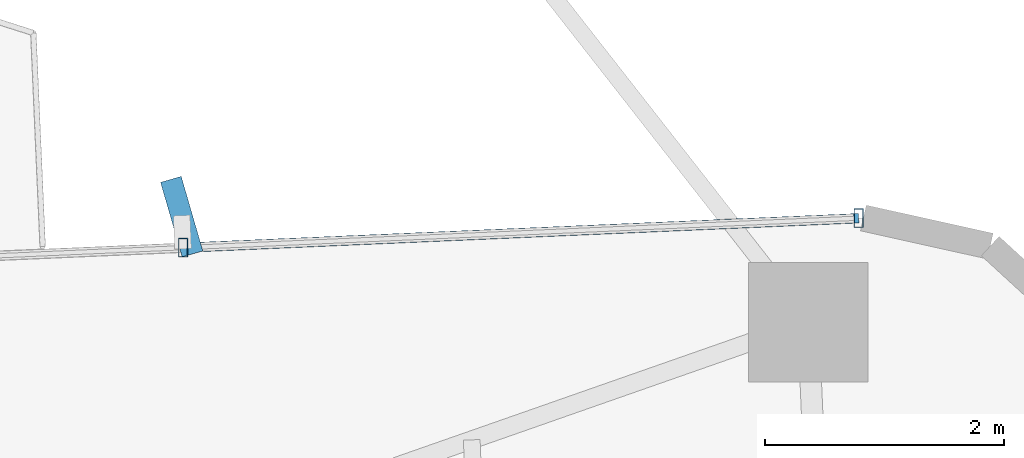
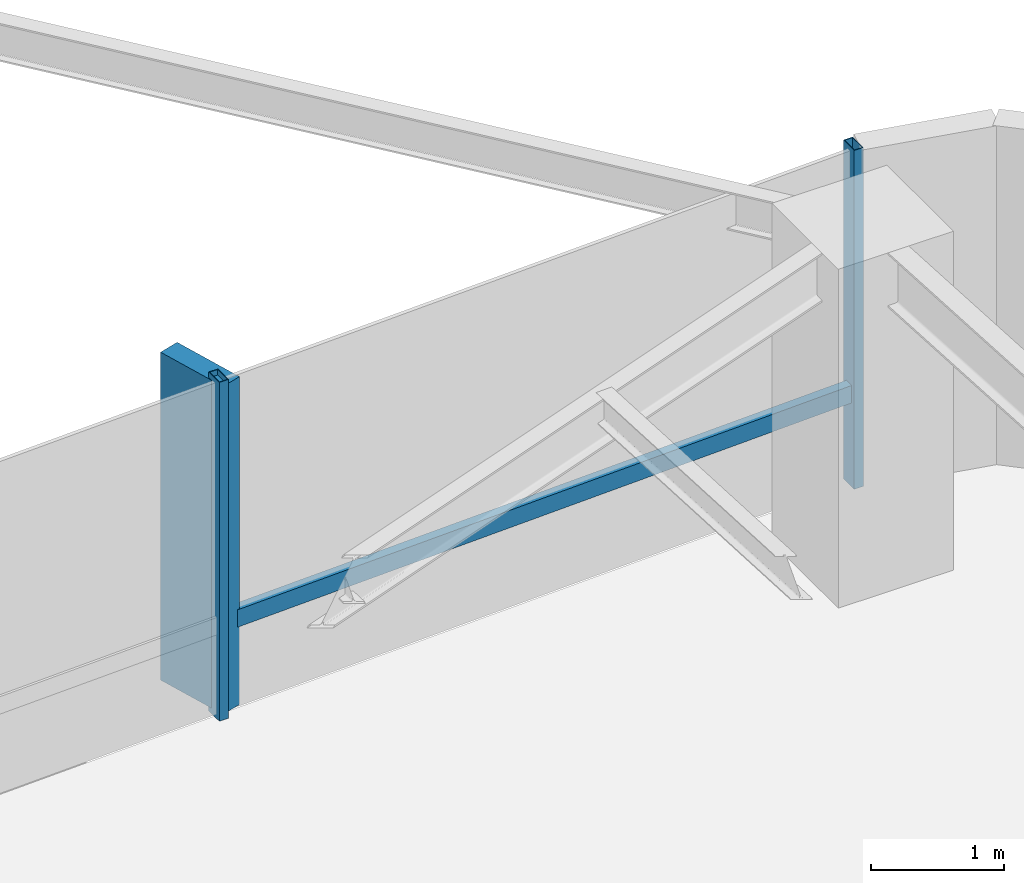
# One storey, part 20 of 26: 4 members, 1 element without a shape of its own.
"""IFC4 building model written with IfcOpenShell, lengths in metres."""

from ifc_helpers import new_model, si_unit, direction, frame, origin, origin_2d, place, context, subcontext, project, spatial, rectangle, hollow_rectangle, extrude, source, transform, mapped, material, material_profile, profile_set, type_object, element, aggregate, save


model = new_model("IFC4")

# Units and contexts
model_context = context("Model", 3, precision=1e-05, world=origin(), true_north=direction((0.0, 1.0)))
body_context = subcontext(model_context, "Body", "Model", "MODEL_VIEW")
ifc_project = project(units=[si_unit("LENGTHUNIT", "METRE"), si_unit("AREAUNIT", "SQUARE_METRE"), si_unit("VOLUMEUNIT", "CUBIC_METRE"), si_unit("PLANEANGLEUNIT", "RADIAN"), si_unit("MASSUNIT", "GRAM", prefix="KILO")], contexts=[model_context])

# Site, building, storey
site_placement = place(None, origin())
site = spatial("IfcSite", under=ifc_project, at=site_placement, CompositionType="ELEMENT")
building_placement = place(site_placement, origin())
building = spatial("IfcBuilding", under=site, at=building_placement, Name="Sahyath Konkavel Grand Hotel", CompositionType="ELEMENT")
storey_placement = place(building_placement, frame((0.0, 0.0, 96.89990234375)))
storey = spatial("IfcBuildingStorey", under=building, at=storey_placement, Name="L26", CompositionType="ELEMENT", Elevation=96.89990234375)

# Curtain wall, members
ifc_material_1 = material(Name="Anodised Bronze Aluminium & Low-E Glazing", Category="aluminium")
curtain_wall_type = type_object("IfcCurtainWallType", Name="CW-ZONE2", PredefinedType="NOTDEFINED", material=ifc_material_1)
curtain_wall_placement = place(storey_placement, origin())
curtain_wall = element("IfcCurtainWall", 1, at=curtain_wall_placement, inside=storey, type_object=curtain_wall_type, Name="L26 Unitised Curtain Wall F7", PredefinedType="NOTDEFINED")
ifc_material_2 = material(Name="Warm Buff Sandstone Cladding on Concrete C50/60", Category="masonry")
ifc_material_profile_1 = material_profile(ifc_material_2, rectangle(XDim=0.179931640625, YDim=0.64990234375, at=origin_2d()), Name="FIN 180x650")
ifc_profile_set_1 = profile_set([ifc_material_profile_1], Name="Warm Buff Sandstone Cladding on Concrete C50/60")
member_type_1 = type_object("IfcMemberType", Name="FIN-SANDSTONE-650", PredefinedType="MULLION", material=ifc_profile_set_1)
shared_shape_1 = source(origin(), body_context, "Body", "SweptSolid", [
    extrude(rectangle(XDim=0.179931640625, YDim=0.64990234375, at=origin_2d()), origin(), (0.0, 0.0, 1.0), 3.010009765625),
])
member_1_placement = place(storey_placement, frame((11.989013671875, 7.39013671875, 0.050048828125), z_axis=(0.0, 0.0, 1.0), x_axis=(0.960488224179, 0.278320626641, 0.0)))
member_1 = element("IfcMember", 2, at=member_1_placement, type_object=member_type_1, Name="L26 Sandstone Vertical Solar Fin FIN F7-1", PredefinedType="MULLION", context=body_context, shape_type="MappedRepresentation", body=[
    mapped(shared_shape_1, transform((0.0, 0.0, 0.0), scale=1.0)),
])
ifc_material_3 = material(Name="Anodised Bronze Aluminium", Category="aluminium")
ifc_material_profile_2 = material_profile(ifc_material_3, hollow_rectangle(XDim=0.080078125, YDim=0.159912109375, WallThickness=0.006103515625, at=origin_2d()), Name="RHS 160x80x6")
ifc_profile_set_2 = profile_set([ifc_material_profile_2], Name="Anodised Bronze Aluminium")
member_type_2 = type_object("IfcMemberType", Name="CW-MUL-160", PredefinedType="MULLION", material=ifc_profile_set_2)
shared_shape_2 = source(origin(), body_context, "Body", "SweptSolid", [
    extrude(hollow_rectangle(XDim=0.080078125, YDim=0.159912109375, WallThickness=0.006103515625, at=origin_2d()), origin(), (0.0, 0.0, 1.0), 3.110107421875),
])
member_2_placement = place(storey_placement, frame((17.655029296875, 7.377197265625, 0.0), z_axis=(0.0, 0.0, 1.0), x_axis=(1.0, 0.0, 0.0)))
member_2 = element("IfcMember", 3, at=member_2_placement, type_object=member_type_2, Name="L26 Curtain Wall Mullion F7-0", PredefinedType="MULLION", context=body_context, shape_type="MappedRepresentation", body=[
    mapped(shared_shape_2, transform((0.0, 0.0, 0.0), scale=1.0)),
])
member_3_placement = place(storey_placement, frame((12.00048828125, 7.13037109375, 0.0), z_axis=(0.0, 0.0, 1.0), x_axis=(1.0, 0.0, 0.0)))
member_3 = element("IfcMember", 4, at=member_3_placement, type_object=member_type_2, Name="L26 Curtain Wall Mullion F7-1", PredefinedType="MULLION", context=body_context, shape_type="MappedRepresentation", body=[
    mapped(shared_shape_2, transform((0.0, 0.0, 0.0), scale=1.0)),
])
ifc_material_profile_3 = material_profile(ifc_material_3, hollow_rectangle(XDim=0.080078125, YDim=0.159912109375, WallThickness=0.006103515625, at=origin_2d()), Name="RHS 160x80x6")
ifc_profile_set_3 = profile_set([ifc_material_profile_3], Name="Anodised Bronze Aluminium")
member_type_3 = type_object("IfcMemberType", Name="CW-TRN-160", PredefinedType="USERDEFINED", material=ifc_profile_set_3)
shared_shape_3 = source(origin(), body_context, "Body", "SweptSolid", [
    extrude(hollow_rectangle(XDim=0.080078125, YDim=0.159912109375, WallThickness=0.006103515625, at=origin_2d()), origin(), (0.0, 0.0, 1.0), 5.659912109375),
])
member_4_placement = place(storey_placement, frame((17.655029296875, 7.377197265625, 0.85009765625), z_axis=(-0.999048655935, -0.043609437898, 0.0), x_axis=(0.043609437898, -0.999048655935, 0.0)))
member_4 = element("IfcMember", 5, at=member_4_placement, type_object=member_type_3, Name="L26 Curtain Wall Transom F7-0-spandrel", ObjectType="TRANSOM", PredefinedType="USERDEFINED", context=body_context, shape_type="MappedRepresentation", body=[
    mapped(shared_shape_3, transform((0.0, 0.0, 0.0), scale=1.0)),
])
aggregate(curtain_wall, [member_2, member_3, member_1, member_4])

save(model, "model.ifc")
